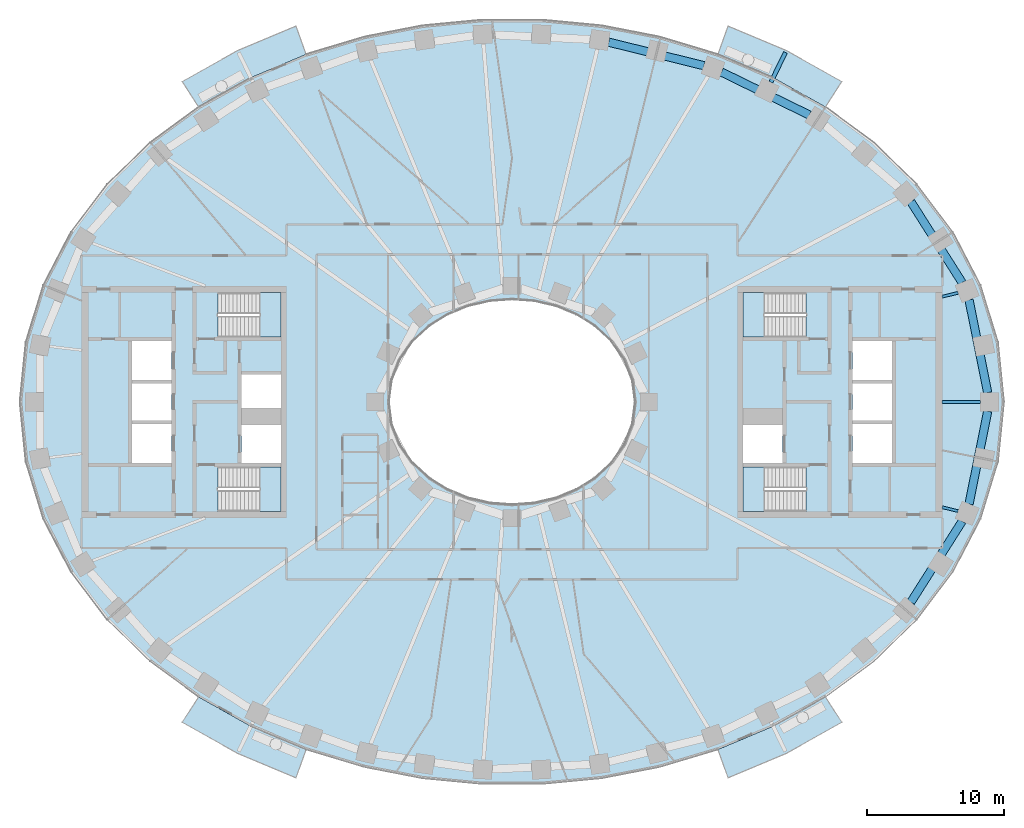
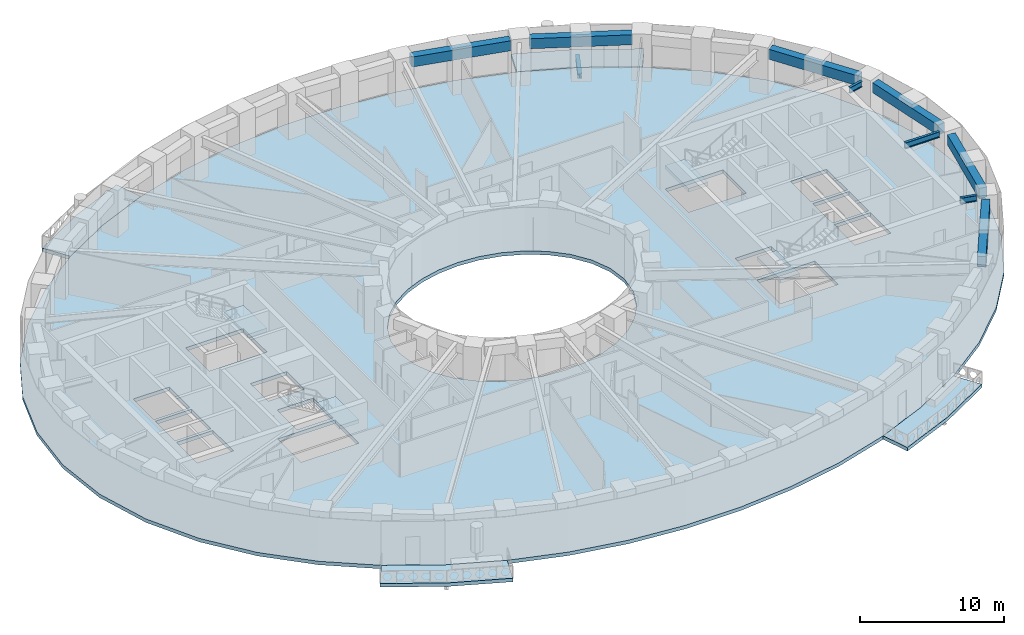
# One storey, part 2 of 15: 10 beams, 9 slabs, 4 elements without a shape of their own.
"""IFC4 building model written with IfcOpenShell, lengths in metres."""

from ifc_helpers import new_model, si_unit, direction, frame, origin, origin_2d, place, context, subcontext, project, spatial, polyline, rectangle, i_section, outline, extrude, material, layer, layer_set, material_profile, profile_set, type_object, element, aggregate, save


model = new_model("IFC4")

# Units and contexts
model_context = context("Model", 3, precision=1e-05, world=origin(), true_north=direction((0.0, 1.0)))
body_context = subcontext(model_context, "Body", "Model", "MODEL_VIEW")
ifc_project = project(units=[si_unit("LENGTHUNIT", "METRE"), si_unit("AREAUNIT", "SQUARE_METRE"), si_unit("VOLUMEUNIT", "CUBIC_METRE"), si_unit("PLANEANGLEUNIT", "RADIAN"), si_unit("MASSUNIT", "GRAM", prefix="KILO")], contexts=[model_context])

# Site, building, storey
site_placement = place(None, origin())
site = spatial("IfcSite", under=ifc_project, at=site_placement, CompositionType="ELEMENT")
building_placement = place(site_placement, origin())
building = spatial("IfcBuilding", under=site, at=building_placement, Name="Noorbagh Ring Tower", CompositionType="ELEMENT")
storey_placement = place(building_placement, frame((0.0, 0.0, 62.5)))
storey = spatial("IfcBuildingStorey", under=building, at=storey_placement, Name="L13", CompositionType="ELEMENT", Elevation=62.5)

# Beams
ifc_material_1 = material(Name="Steel S355", Category="steel")
ifc_material_profile_1 = material_profile(ifc_material_1, i_section(OverallWidth=0.300048828125, OverallDepth=0.39990234375, WebThickness=0.013427734375, FlangeThickness=0.02392578125, FilletRadius=0.027099609375, at=origin_2d()), Name="HEB400")
ifc_profile_set_1 = profile_set([ifc_material_profile_1], Name="Steel S355")
beam_type_1 = type_object("IfcBeamType", Name="STR-BALCONY-BRACKET-HEB400", PredefinedType="BEAM", material=ifc_profile_set_1)
beam_1_placement = place(storey_placement, frame((18.945068359375, 23.396240234375, -0.5), z_axis=(0.439222770869, 0.898378181809, 0.0), x_axis=(-0.898378181809, 0.439222770869, 0.0)))
element("IfcBeam", 1, at=beam_1_placement, inside=storey, type_object=beam_type_1, Name="Balcony bracket beam BN02", PredefinedType="BEAM", context=body_context, shape_type="SweptSolid", body=[
    extrude(i_section(OverallWidth=0.300048828125, OverallDepth=0.39990234375, WebThickness=0.013427734375, FlangeThickness=0.02392578125, FilletRadius=0.027099609375, at=origin_2d()), origin(), (0.0, 0.0, 1.0), 2.425048828125),
])
ifc_material_2 = material(Name="Steel S355", Category="steel")
ifc_material_profile_2 = material_profile(ifc_material_2, i_section(OverallWidth=0.199951171875, OverallDepth=0.5, WebThickness=0.01025390625, FlangeThickness=0.01611328125, FilletRadius=0.02099609375, at=origin_2d()), Name="IPE500")
ifc_profile_set_2 = profile_set([ifc_material_profile_2], Name="Steel S355")
beam_type_2 = type_object("IfcBeamType", Name="STR-RAD-IPE500", PredefinedType="BEAM", material=ifc_profile_set_2)
beam_2_placement = place(storey_placement, frame((34.2646484375, 0.0, 3.449951171875), z_axis=(-1.0, 0.0, 0.0), x_axis=(0.0, -1.0, 0.0)))
element("IfcBeam", 2, at=beam_2_placement, inside=storey, type_object=beam_type_2, Name="L13/bm/RD01", PredefinedType="BEAM", context=body_context, shape_type="SweptSolid", body=[
    extrude(i_section(OverallWidth=0.199951171875, OverallDepth=0.5, WebThickness=0.01025390625, FlangeThickness=0.01611328125, FilletRadius=0.02099609375, at=origin_2d()), origin(), (0.0, 0.0, 1.0), 2.78466796875),
])
for number, where, z_axis, x_axis, name in (
    (3, (32.636962890625, 7.98583984375, 3.449951171875), (-0.971348532858, -0.237659478485, 0.0), (0.237659478485, -0.971348532858, 0.0), "L13/bm/RD03"),
    (4, (32.636962890625, -7.98583984375, 3.449951171875), (-0.971348532858, 0.237659478485, 0.0), (-0.237659478485, -0.971348532858, 0.0), "L13/bm/RD45"),
):
    element("IfcBeam", number, at=place(storey_placement, frame(where, z_axis=z_axis, x_axis=x_axis)), inside=storey, type_object=beam_type_2, Name=name, PredefinedType="BEAM", context=body_context, shape_type="SweptSolid", body=[
        extrude(i_section(OverallWidth=0.199951171875, OverallDepth=0.5, WebThickness=0.01025390625, FlangeThickness=0.01611328125, FilletRadius=0.02099609375, at=origin_2d()), origin(), (0.0, 0.0, 1.0), 1.190673828125),
    ])
ifc_material_3 = material(Name="Concrete C40/50", Category="concrete")
ifc_material_profile_3 = material_profile(ifc_material_3, rectangle(XDim=0.60009765625, YDim=0.85009765625, at=origin_2d()), Name="RC600x850")
ifc_profile_set_3 = profile_set([ifc_material_profile_3], Name="Concrete C40/50")
beam_type_3 = type_object("IfcBeamType", Name="STR-SB-RC600x850-C40-50", PredefinedType="BEAM", material=ifc_profile_set_3)
beam_3_placement = place(storey_placement, frame((34.807861328125, 0.680419921875, 3.27490234375), z_axis=(-0.197227762478, 0.980357694777, 0.0), x_axis=(-0.980357694777, -0.197227762478, 0.0)))
element("IfcBeam", 5, at=beam_3_placement, inside=storey, type_object=beam_type_3, Name="L13/bm/SP01", PredefinedType="BEAM", context=body_context, shape_type="SweptSolid", body=[
    extrude(rectangle(XDim=0.60009765625, YDim=0.85009765625, at=origin_2d()), origin(), (0.0, 0.0, 1.0), 6.92578125),
])
beam_4_placement = place(storey_placement, frame((32.935302734375, 8.733154296875, 3.27490234375), z_axis=(-0.535200543046, 0.844725031429, 0.0), x_axis=(-0.844725031429, -0.535200543046, 0.0)))
element("IfcBeam", 6, at=beam_4_placement, inside=storey, type_object=beam_type_3, Name="L13/bm/SP03", PredefinedType="BEAM", context=body_context, shape_type="SweptSolid", body=[
    extrude(rectangle(XDim=0.60009765625, YDim=0.85009765625, at=origin_2d()), origin(), (0.0, 0.0, 1.0), 7.002685546875),
])
beam_5_placement = place(storey_placement, frame((21.746826171875, 21.000732421875, 3.27490234375), z_axis=(-0.898400530475, 0.43917705637, 0.0), x_axis=(-0.43917705637, -0.898400530475, 0.0)))
element("IfcBeam", 7, at=beam_5_placement, inside=storey, type_object=beam_type_3, Name="L13/bm/SP07", PredefinedType="BEAM", context=body_context, shape_type="SweptSolid", body=[
    extrude(rectangle(XDim=0.60009765625, YDim=0.85009765625, at=origin_2d()), origin(), (0.0, 0.0, 1.0), 7.14892578125),
])
beam_6_placement = place(storey_placement, frame((14.045654296875, 24.604736328125, 3.27490234375), z_axis=(-0.970828401591, 0.239775342069, 0.0), x_axis=(-0.239775342069, -0.970828401591, 0.0)))
element("IfcBeam", 8, at=beam_6_placement, inside=storey, type_object=beam_type_3, Name="L13/bm/SP09", PredefinedType="BEAM", context=body_context, shape_type="SweptSolid", body=[
    extrude(rectangle(XDim=0.60009765625, YDim=0.85009765625, at=origin_2d()), origin(), (0.0, 0.0, 1.0), 7.182373046875),
])
beam_7_placement = place(storey_placement, frame((29.1875, -14.6484375, 3.27490234375), z_axis=(0.535200543046, 0.844725031429, 0.0), x_axis=(-0.844725031429, 0.535200543046, 0.0)))
element("IfcBeam", 9, at=beam_7_placement, inside=storey, type_object=beam_type_3, Name="L13/bm/SP43", PredefinedType="BEAM", context=body_context, shape_type="SweptSolid", body=[
    extrude(rectangle(XDim=0.60009765625, YDim=0.85009765625, at=origin_2d()), origin(), (0.0, 0.0, 1.0), 7.002685546875),
])
beam_8_placement = place(storey_placement, frame((33.44189453125, -7.47021484375, 3.27490234375), z_axis=(0.197227762478, 0.980357694777, 0.0), x_axis=(-0.980357694777, 0.197227762478, 0.0)))
element("IfcBeam", 10, at=beam_8_placement, inside=storey, type_object=beam_type_3, Name="L13/bm/SP45", PredefinedType="BEAM", context=body_context, shape_type="SweptSolid", body=[
    extrude(rectangle(XDim=0.60009765625, YDim=0.85009765625, at=origin_2d()), origin(), (0.0, 0.0, 1.0), 6.92578125),
])

# Stair, slab
ifc_material_4 = material(Name="Concrete C40/50", Category="concrete")
stair_type = type_object("IfcStairType", Name="CORE-STAIR", PredefinedType="HALF_TURN_STAIR", material=ifc_material_4)
stair_1_placement = place(storey_placement, origin())
stair_1 = element("IfcStair", 11, at=stair_1_placement, inside=storey, type_object=stair_type, Name="L13 Exit stair ST1", PredefinedType="HALF_TURN_STAIR")
ifc_material_5 = material(Name="Concrete C40/50", Category="concrete")
ifc_layer_1 = layer(ifc_material_5, 0.300048828125)
ifc_layer_set_1 = layer_set([ifc_layer_1], Name="Concrete C40/50")
slab_type_1 = type_object("IfcSlabType", Name="CORE-STAIR-LANDING", PredefinedType="LANDING", material=ifc_layer_set_1)
slab_1_placement = place(storey_placement, frame((0.0, 0.0, 1.699951171875)))
slab_1 = element("IfcSlab", 12, at=slab_1_placement, type_object=slab_type_1, Name="ST1 landing 1", PredefinedType="LANDING", context=body_context, shape_type="SweptSolid", body=[
    extrude(outline(polyline([(-18.449951171875, 4.75), (-16.89990234375, 4.75), (-16.89990234375, 8.0), (-18.449951171875, 8.0), (-18.449951171875, 4.75)])), origin(), (0.0, 0.0, 1.0), 0.300048828125),
])
aggregate(stair_1, [slab_1])

stair_2_placement = place(storey_placement, origin())
stair_2 = element("IfcStair", 13, at=stair_2_placement, inside=storey, type_object=stair_type, Name="L13 Exit stair ST2", PredefinedType="HALF_TURN_STAIR")
slab_2_placement = place(storey_placement, frame((0.0, 0.0, 1.699951171875)))
slab_2 = element("IfcSlab", 14, at=slab_2_placement, type_object=slab_type_1, Name="ST2 landing 1", PredefinedType="LANDING", context=body_context, shape_type="SweptSolid", body=[
    extrude(outline(polyline([(-18.449951171875, -8.0), (-16.89990234375, -8.0), (-16.89990234375, -4.75), (-18.449951171875, -4.75), (-18.449951171875, -8.0)])), origin(), (0.0, 0.0, 1.0), 0.300048828125),
])
aggregate(stair_2, [slab_2])

stair_3_placement = place(storey_placement, origin())
stair_3 = element("IfcStair", 15, at=stair_3_placement, inside=storey, type_object=stair_type, Name="L13 Exit stair ST3", PredefinedType="HALF_TURN_STAIR")
slab_3_placement = place(storey_placement, frame((0.0, 0.0, 1.699951171875)))
slab_3 = element("IfcSlab", 16, at=slab_3_placement, type_object=slab_type_1, Name="ST3 landing 1", PredefinedType="LANDING", context=body_context, shape_type="SweptSolid", body=[
    extrude(outline(polyline([(18.449951171875, 8.0), (16.89990234375, 8.0), (16.89990234375, 4.75), (18.449951171875, 4.75), (18.449951171875, 8.0)])), origin(), (0.0, 0.0, 1.0), 0.300048828125),
])
aggregate(stair_3, [slab_3])

stair_4_placement = place(storey_placement, origin())
stair_4 = element("IfcStair", 17, at=stair_4_placement, inside=storey, type_object=stair_type, Name="L13 Exit stair ST4", PredefinedType="HALF_TURN_STAIR")
slab_4_placement = place(storey_placement, frame((0.0, 0.0, 1.699951171875)))
slab_4 = element("IfcSlab", 18, at=slab_4_placement, type_object=slab_type_1, Name="ST4 landing 1", PredefinedType="LANDING", context=body_context, shape_type="SweptSolid", body=[
    extrude(outline(polyline([(18.449951171875, -4.75), (16.89990234375, -4.75), (16.89990234375, -8.0), (18.449951171875, -8.0), (18.449951171875, -4.75)])), origin(), (0.0, 0.0, 1.0), 0.300048828125),
])
aggregate(stair_4, [slab_4])

# Slabs
ifc_material_6 = material(Name="Concrete C40/50", Category="concrete")
ifc_layer_2 = layer(ifc_material_6, 0.300048828125)
ifc_layer_set_2 = layer_set([ifc_layer_2], Name="Concrete C40/50")
slab_type_2 = type_object("IfcSlabType", Name="ENV-BALCONY DECK 300", PredefinedType="FLOOR", material=ifc_layer_set_2)
slab_5_placement = place(storey_placement, frame((0.0, 0.0, -0.300048828125)))
element("IfcSlab", 19, at=slab_5_placement, inside=storey, type_object=slab_type_2, Name="Tree balcony deck BN02", PredefinedType="FLOOR", context=body_context, shape_type="SweptSolid", body=[
    extrude(outline(polyline([(24.1279296875, 23.435791015625), (20.076171875, 25.709716796875), (15.810791015625, 27.50341796875), (15.0654296875, 25.430419921875), (19.108154296875, 23.730224609375), (22.9326171875, 21.583740234375), (24.1279296875, 23.435791015625)])), origin(), (0.0, 0.0, 1.0), 0.300048828125),
])
slab_6_placement = place(storey_placement, frame((0.0, 0.0, -0.300048828125)))
element("IfcSlab", 20, at=slab_6_placement, inside=storey, type_object=slab_type_2, Name="Tree balcony deck BN05", PredefinedType="FLOOR", context=body_context, shape_type="SweptSolid", body=[
    extrude(outline(polyline([(-15.810791015625, 27.50341796875), (-20.076171875, 25.709716796875), (-24.1279296875, 23.435791015625), (-22.9326171875, 21.583740234375), (-19.108154296875, 23.730224609375), (-15.0654296875, 25.430419921875), (-15.810791015625, 27.50341796875)])), origin(), (0.0, 0.0, 1.0), 0.300048828125),
])
slab_7_placement = place(storey_placement, frame((0.0, 0.0, -0.300048828125)))
element("IfcSlab", 21, at=slab_7_placement, inside=storey, type_object=slab_type_2, Name="Tree balcony deck BS02", PredefinedType="FLOOR", context=body_context, shape_type="SweptSolid", body=[
    extrude(outline(polyline([(-24.1279296875, -23.435791015625), (-20.076171875, -25.709716796875), (-15.810791015625, -27.50341796875), (-15.0654296875, -25.430419921875), (-19.108154296875, -23.730224609375), (-22.9326171875, -21.583740234375), (-24.1279296875, -23.435791015625)])), origin(), (0.0, 0.0, 1.0), 0.300048828125),
])
slab_8_placement = place(storey_placement, frame((0.0, 0.0, -0.300048828125)))
element("IfcSlab", 22, at=slab_8_placement, inside=storey, type_object=slab_type_2, Name="Tree balcony deck BS05", PredefinedType="FLOOR", context=body_context, shape_type="SweptSolid", body=[
    extrude(outline(polyline([(15.810791015625, -27.50341796875), (20.076171875, -25.709716796875), (24.1279296875, -23.435791015625), (22.9326171875, -21.583740234375), (19.108154296875, -23.730224609375), (15.0654296875, -25.430419921875), (15.810791015625, -27.50341796875)])), origin(), (0.0, 0.0, 1.0), 0.300048828125),
])
ifc_material_7 = material(Name="Concrete C40/50", Category="concrete")
ifc_layer_3 = layer(ifc_material_7, 0.300048828125)
ifc_layer_set_3 = layer_set([ifc_layer_3], Name="Concrete C40/50")
slab_type_3 = type_object("IfcSlabType", Name="STR-FLOOR-DECK-300", PredefinedType="FLOOR", material=ifc_layer_set_3)
slab_9_placement = place(storey_placement, frame((0.0, 0.0, -0.300048828125)))
element("IfcSlab", 23, at=slab_9_placement, inside=storey, type_object=slab_type_3, Name="L13/slab/1", PredefinedType="FLOOR", context=body_context, shape_type="SweptSolid", body=[
    extrude(outline(polyline([(36.0, 0.0), (35.56103515625, 4.358642578125), (34.281005859375, 8.548828125), (32.255126953125, 12.434814453125), (29.607666015625, 15.92822265625), (26.463134765625, 18.983154296875), (22.9326171875, 21.583740234375), (19.108154296875, 23.730224609375), (15.0654296875, 25.430419921875), (10.865234375, 26.6943359375), (6.5595703125, 27.53125), (2.193115234375, 27.947998046875), (-2.193115234375, 27.947998046875), (-6.5595703125, 27.53125), (-10.865234375, 26.6943359375), (-15.0654296875, 25.430419921875), (-19.108154296875, 23.730224609375), (-22.9326171875, 21.583740234375), (-26.463134765625, 18.983154296875), (-29.607666015625, 15.92822265625), (-32.255126953125, 12.434814453125), (-34.281005859375, 8.548828125), (-35.56103515625, 4.358642578125), (-36.0, 0.0), (-35.56103515625, -4.358642578125), (-34.281005859375, -8.548828125), (-32.255126953125, -12.434814453125), (-29.607666015625, -15.92822265625), (-26.463134765625, -18.983154296875), (-22.9326171875, -21.583740234375), (-19.108154296875, -23.730224609375), (-15.0654296875, -25.430419921875), (-10.865234375, -26.6943359375), (-6.5595703125, -27.53125), (-2.193115234375, -27.947998046875), (2.193115234375, -27.947998046875), (6.5595703125, -27.53125), (10.865234375, -26.6943359375), (15.0654296875, -25.430419921875), (19.108154296875, -23.730224609375), (22.9326171875, -21.583740234375), (26.463134765625, -18.983154296875), (29.607666015625, -15.92822265625), (32.255126953125, -12.434814453125), (34.281005859375, -8.548828125), (35.56103515625, -4.358642578125), (36.0, 0.0)]), holes=[polyline([(24.89990234375, -1.60009765625), (27.800048828125, -1.60009765625), (27.800048828125, -4.449951171875), (24.89990234375, -4.449951171875), (24.89990234375, -1.60009765625)]), polyline([(24.89990234375, 1.35009765625), (27.800048828125, 1.35009765625), (27.800048828125, -1.35009765625), (24.89990234375, -1.35009765625), (24.89990234375, 1.35009765625)]), polyline([(24.89990234375, 4.449951171875), (27.800048828125, 4.449951171875), (27.800048828125, 1.60009765625), (24.89990234375, 1.60009765625), (24.89990234375, 4.449951171875)]), polyline([(21.529541015625, -4.75), (21.529541015625, -8.0), (16.89990234375, -8.0), (16.89990234375, -4.75), (21.529541015625, -4.75)]), polyline([(21.529541015625, 4.75), (16.89990234375, 4.75), (16.89990234375, 8.0), (21.529541015625, 8.0), (21.529541015625, 4.75)]), polyline([(16.89990234375, -1.699951171875), (19.800048828125, -1.699951171875), (19.800048828125, -4.449951171875), (16.89990234375, -4.449951171875), (16.89990234375, -1.699951171875)]), polyline([(4.697509765625, -6.3974609375), (3.196533203125, -7.010986328125), (1.6171875, -7.3779296875), (0.0, -7.5), (-1.6171875, -7.3779296875), (-3.196533203125, -7.010986328125), (-4.697509765625, -6.3974609375), (-6.071044921875, -5.53662109375), (-7.2587890625, -4.43408203125), (-8.1904296875, -3.10888671875), (-8.79150390625, -1.605224609375), (-9.0, 0.0), (-8.79150390625, 1.605224609375), (-8.1904296875, 3.10888671875), (-7.2587890625, 4.43408203125), (-6.071044921875, 5.53662109375), (-4.697509765625, 6.3974609375), (-3.196533203125, 7.010986328125), (-1.6171875, 7.3779296875), (0.0, 7.5), (1.6171875, 7.3779296875), (3.196533203125, 7.010986328125), (4.697509765625, 6.3974609375), (6.071044921875, 5.53662109375), (7.2587890625, 4.43408203125), (8.1904296875, 3.10888671875), (8.79150390625, 1.605224609375), (9.0, 0.0), (8.79150390625, -1.605224609375), (8.1904296875, -3.10888671875), (7.2587890625, -4.43408203125), (6.071044921875, -5.53662109375), (4.697509765625, -6.3974609375)]), polyline([(-21.529541015625, -8.0), (-21.529541015625, -4.75), (-16.89990234375, -4.75), (-16.89990234375, -8.0), (-21.529541015625, -8.0)]), polyline([(-21.529541015625, 8.0), (-16.89990234375, 8.0), (-16.89990234375, 4.75), (-21.529541015625, 4.75), (-21.529541015625, 8.0)]), polyline([(-16.89990234375, -4.449951171875), (-19.800048828125, -4.449951171875), (-19.800048828125, -1.699951171875), (-16.89990234375, -1.699951171875), (-16.89990234375, -4.449951171875)]), polyline([(-16.89990234375, -0.449951171875), (-19.800048828125, -0.449951171875), (-19.800048828125, 2.0), (-16.89990234375, 2.0), (-16.89990234375, -0.449951171875)]), polyline([(-24.89990234375, -4.449951171875), (-27.800048828125, -4.449951171875), (-27.800048828125, -1.60009765625), (-24.89990234375, -1.60009765625), (-24.89990234375, -4.449951171875)]), polyline([(-24.89990234375, -1.35009765625), (-27.800048828125, -1.35009765625), (-27.800048828125, 1.35009765625), (-24.89990234375, 1.35009765625), (-24.89990234375, -1.35009765625)]), polyline([(-24.89990234375, 1.60009765625), (-27.800048828125, 1.60009765625), (-27.800048828125, 4.449951171875), (-24.89990234375, 4.449951171875), (-24.89990234375, 1.60009765625)])]), origin(), (0.0, 0.0, 1.0), 0.300048828125),
])

save(model, "model.ifc")
